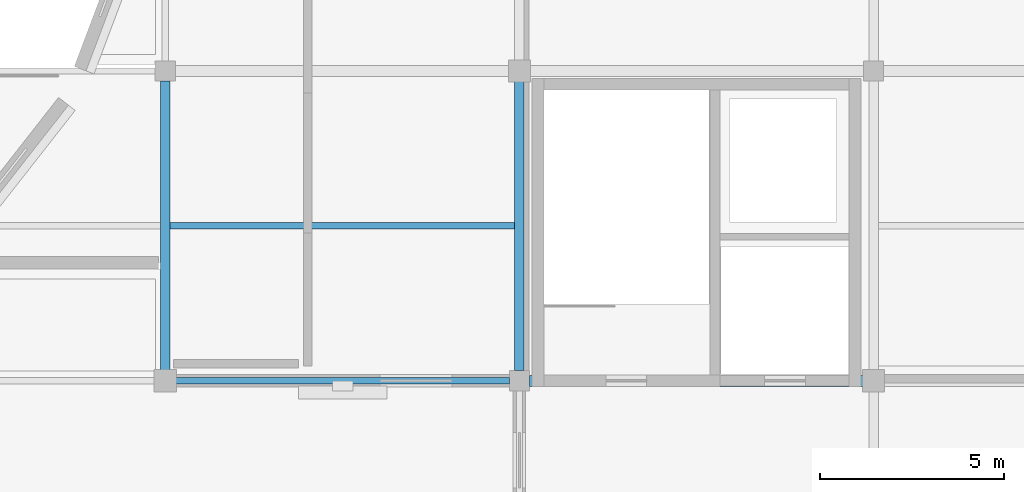
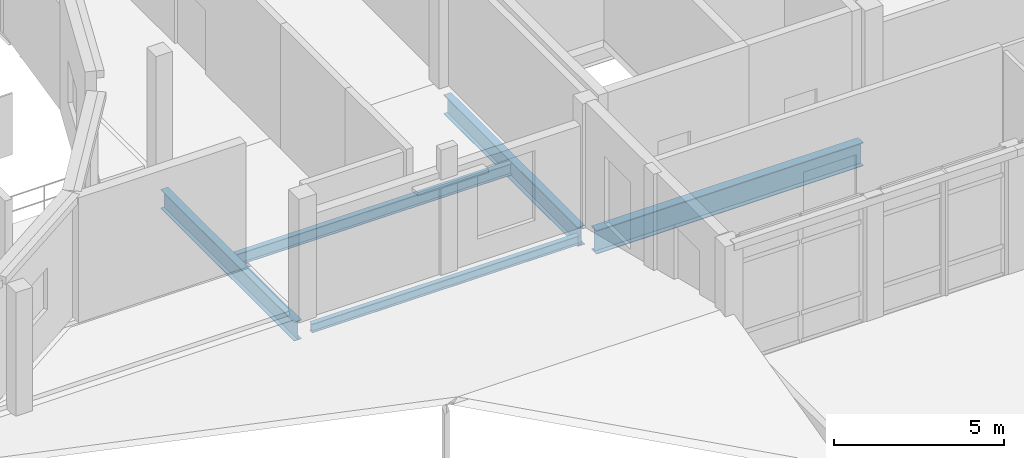
# One storey, part 13 of 52: 5 beams.
"""IFC4 building model written with IfcOpenShell, lengths in metres."""

from ifc_helpers import new_model, si_unit, direction, frame, origin, origin_2d, place, context, subcontext, project, spatial, i_section, extrude, material, material_profile, profile_set, type_object, element, save


model = new_model("IFC4")

# Units and contexts
model_context = context("Model", 3, precision=1e-05, world=origin(), true_north=direction((0.0, 1.0)))
body_context = subcontext(model_context, "Body", "Model", "MODEL_VIEW")
ifc_project = project(units=[si_unit("LENGTHUNIT", "METRE"), si_unit("AREAUNIT", "SQUARE_METRE"), si_unit("VOLUMEUNIT", "CUBIC_METRE"), si_unit("PLANEANGLEUNIT", "RADIAN"), si_unit("MASSUNIT", "GRAM", prefix="KILO")], contexts=[model_context])

# Site, building, storey
site_placement = place(None, origin())
site = spatial("IfcSite", under=ifc_project, at=site_placement, CompositionType="ELEMENT")
building_placement = place(site_placement, origin())
building = spatial("IfcBuilding", under=site, at=building_placement, Name="Lornevale Opera House", CompositionType="ELEMENT")
storey_placement = place(building_placement, frame((0.0, 0.0, 15.0)))
storey = spatial("IfcBuildingStorey", under=building, at=storey_placement, Name="L04", CompositionType="ELEMENT", Elevation=15.0)

# Beams
ifc_material = material(Name="Structural Steel CSA G40.21 Grade 350W (350 MPa)", Category="steel")
ifc_material_profile_1 = material_profile(ifc_material, i_section(OverallWidth=0.299072265625, OverallDepth=0.845947265625, WebThickness=0.015380859375, FlangeThickness=0.0244140625, at=origin_2d()), Name="W840x210")
ifc_profile_set_1 = profile_set([ifc_material_profile_1], Name="Structural Steel CSA G40.21 Grade 350W (350 MPa)")
beam_type_1 = type_object("IfcBeamType", Name="Steel Clear-Span Girder W840x210", PredefinedType="USERDEFINED", material=ifc_profile_set_1)
beam_1_placement = place(storey_placement, frame((105.875, 33.60009765625, -0.697998046875), z_axis=(1.0, 0.0, 0.0), x_axis=(0.0, 1.0, 0.0)))
element("IfcBeam", 1, at=beam_1_placement, inside=storey, type_object=beam_type_1, Name="Steel Clear-Span Girder W840x210 2486", ObjectType="GIRDER", PredefinedType="USERDEFINED", context=body_context, shape_type="SweptSolid", body=[
    extrude(i_section(OverallWidth=0.299072265625, OverallDepth=0.845947265625, WebThickness=0.015380859375, FlangeThickness=0.0244140625, at=origin_2d()), origin(), (0.0, 0.0, 1.0), 9.050048828125),
])
ifc_material_profile_2 = material_profile(ifc_material, i_section(OverallWidth=0.179931640625, OverallDepth=0.4130859375, WebThickness=0.009765625, FlangeThickness=0.01611328125, at=origin_2d()), Name="W410x74")
ifc_profile_set_2 = profile_set([ifc_material_profile_2], Name="Structural Steel CSA G40.21 Grade 350W (350 MPa)")
beam_type_2 = type_object("IfcBeamType", Name="Steel Floor Joist W410x74", PredefinedType="JOIST", material=ifc_profile_set_2)
beam_2_placement = place(storey_placement, frame((96.126953125, 37.800048828125, -0.511474609375), z_axis=(1.0, 0.0, 0.0), x_axis=(0.0, 1.0, 0.0)))
element("IfcBeam", 2, at=beam_2_placement, inside=storey, type_object=beam_type_2, Name="Steel Floor Joist W410x74 2685", PredefinedType="JOIST", context=body_context, shape_type="SweptSolid", body=[
    extrude(i_section(OverallWidth=0.179931640625, OverallDepth=0.4130859375, WebThickness=0.009765625, FlangeThickness=0.01611328125, at=origin_2d()), origin(), (0.0, 0.0, 1.0), 9.345947265625),
])
ifc_material_profile_3 = material_profile(ifc_material, i_section(OverallWidth=0.25390625, OverallDepth=0.68798828125, WebThickness=0.01318359375, FlangeThickness=0.02099609375, at=origin_2d()), Name="W690x152")
ifc_profile_set_3 = profile_set([ifc_material_profile_3], Name="Structural Steel CSA G40.21 Grade 350W (350 MPa)")
beam_type_3 = type_object("IfcBeamType", Name="Steel Foyer Beam W690x152", PredefinedType="USERDEFINED", material=ifc_profile_set_3)
for number, where, z_axis, x_axis, name in (
    (3, (96.0, 33.875, -0.64892578125), (0.0, 1.0, 0.0), (-1.0, 0.0, 0.0), "Steel Foyer Beam W690x152 2606"),
    (4, (105.60009765625, 33.875, -0.618896484375), (0.0, 1.0, 0.0), (-1.0, 0.0, 0.0), "Steel Foyer Beam W690x152 2615"),
):
    element("IfcBeam", number, at=place(storey_placement, frame(where, z_axis=z_axis, x_axis=x_axis)), inside=storey, type_object=beam_type_3, Name=name, ObjectType="GIRDER", PredefinedType="USERDEFINED", context=body_context, shape_type="SweptSolid", body=[
        extrude(i_section(OverallWidth=0.25390625, OverallDepth=0.68798828125, WebThickness=0.01318359375, FlangeThickness=0.02099609375, at=origin_2d()), origin(), (0.0, 0.0, 1.0), 7.85009765625),
    ])
ifc_material_profile_4 = material_profile(ifc_material, i_section(OverallWidth=0.1669921875, OverallDepth=0.31689453125, WebThickness=0.007568359375, FlangeThickness=0.01318359375, at=origin_2d()), Name="W310x52")
ifc_profile_set_4 = profile_set([ifc_material_profile_4], Name="Structural Steel CSA G40.21 Grade 350W (350 MPa)")
beam_type_4 = type_object("IfcBeamType", Name="Steel Spandrel Beam W310x52", PredefinedType="SPANDREL", material=ifc_profile_set_4)
beam_3_placement = place(storey_placement, frame((96.27490234375, 33.60009765625, -0.46337890625), z_axis=(1.0, 0.0, 0.0), x_axis=(0.0, 1.0, 0.0)))
element("IfcBeam", 5, at=beam_3_placement, inside=storey, type_object=beam_type_4, Name="Steel Spandrel Beam W310x52 2485", PredefinedType="SPANDREL", context=body_context, shape_type="SweptSolid", body=[
    extrude(i_section(OverallWidth=0.1669921875, OverallDepth=0.31689453125, WebThickness=0.007568359375, FlangeThickness=0.01318359375, at=origin_2d()), origin(), (0.0, 0.0, 1.0), 9.050048828125),
])

save(model, "model.ifc")
